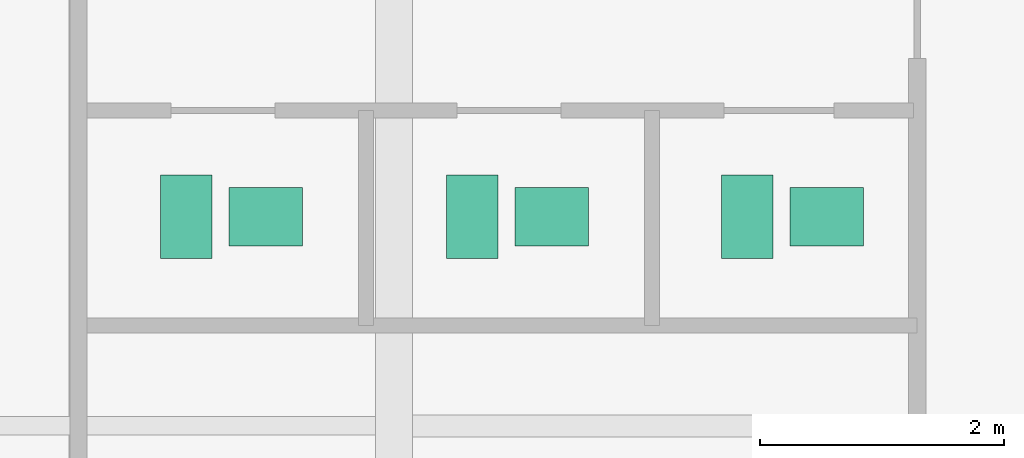
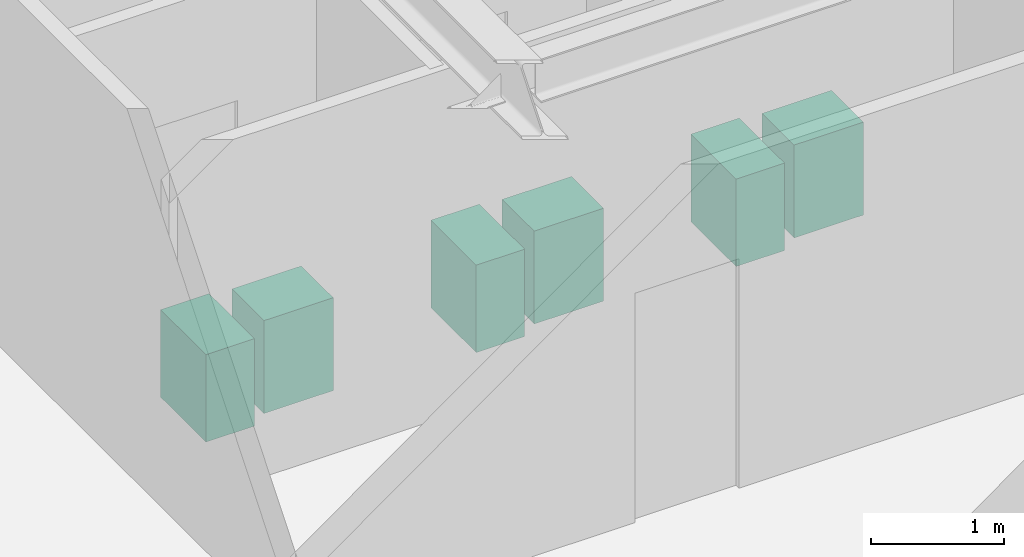
# One storey, part 26 of 26: 6 sanitary terminals.
"""IFC4 building model written with IfcOpenShell, lengths in metres."""

from ifc_helpers import new_model, si_unit, direction, frame, origin, origin_2d, place, context, subcontext, project, spatial, rectangle, extrude, source, transform, mapped, material, type_object, type_shapes, element, save


model = new_model("IFC4")

# Units and contexts
model_context = context("Model", 3, precision=1e-05, world=origin(), true_north=direction((0.0, 1.0)))
body_context = subcontext(model_context, "Body", "Model", "MODEL_VIEW")
ifc_project = project(units=[si_unit("LENGTHUNIT", "METRE"), si_unit("AREAUNIT", "SQUARE_METRE"), si_unit("VOLUMEUNIT", "CUBIC_METRE"), si_unit("PLANEANGLEUNIT", "RADIAN"), si_unit("MASSUNIT", "GRAM", prefix="KILO")], contexts=[model_context])

# Site, building, storey
site_placement = place(None, origin())
site = spatial("IfcSite", under=ifc_project, at=site_placement, CompositionType="ELEMENT")
building_placement = place(site_placement, origin())
building = spatial("IfcBuilding", under=site, at=building_placement, Name="Krantzveldt Concourse Tower", CompositionType="ELEMENT")
storey_placement = place(building_placement, frame((0.0, 0.0, 207.300048828125)))
storey = spatial("IfcBuildingStorey", under=building, at=storey_placement, Name="L50", CompositionType="ELEMENT", Elevation=207.300048828125)

# Sanitary terminals
ifc_material = material(Name="Vitreous china", Category="ceramic")
sanitary_terminal_type_1 = type_object("IfcSanitaryTerminalType", Name="SAN-WC-SUITE", PredefinedType="TOILETPAN", material=ifc_material)
shared_shape_1 = source(origin(), body_context, "Body", "SweptSolid", [
    extrude(rectangle(XDim=0.419921875, YDim=0.679931640625, at=origin_2d()), origin(), (0.0, 0.0, 1.0), 0.800048828125),
])
type_shapes(sanitary_terminal_type_1, [shared_shape_1])
for number, where, z_axis, x_axis, name in (
    (1, (28.89990234375, 31.909912109375, 0.0), (0.0, 0.0, 1.0), (1.0, 0.0, 0.0), "WC-SP-L50-WCM"),
    (2, (31.239990234375, 31.909912109375, 0.0), (0.0, 0.0, 1.0), (1.0, 0.0, 0.0), "WC-SP-L50-WCF"),
    (3, (33.489990234375, 31.909912109375, 0.0), (0.0, 0.0, 1.0), (1.0, 0.0, 0.0), "WC-SP-L50-WCA"),
):
    element("IfcSanitaryTerminal", number, at=place(storey_placement, frame(where, z_axis=z_axis, x_axis=x_axis)), inside=storey, type_object=sanitary_terminal_type_1, Name=name, PredefinedType="TOILETPAN", context=body_context, shape_type="MappedRepresentation", body=[
        mapped(shared_shape_1, transform((0.0, 0.0, 0.0), x_axis=(1.0, 0.0, 0.0), y_axis=(0.0, 1.0, 0.0), z_axis=(0.0, 0.0, 1.0), scale=1.0)),
    ])
sanitary_terminal_type_2 = type_object("IfcSanitaryTerminalType", Name="SAN-BASIN-600", PredefinedType="WASHHANDBASIN", material=ifc_material)
shared_shape_2 = source(origin(), body_context, "Body", "SweptSolid", [
    extrude(rectangle(XDim=0.60009765625, YDim=0.47998046875, at=origin_2d()), origin(), (0.0, 0.0, 1.0), 0.85009765625),
])
type_shapes(sanitary_terminal_type_2, [shared_shape_2])
for number, where, z_axis, x_axis, name in (
    (4, (29.550048828125, 31.909912109375, 0.0048828125), (0.0, 0.0, 1.0), (1.0, 0.0, 0.0), "BSN-SP-L50-WCM"),
    (5, (31.889892578125, 31.909912109375, 0.0048828125), (0.0, 0.0, 1.0), (1.0, 0.0, 0.0), "BSN-SP-L50-WCF"),
    (6, (34.139892578125, 31.909912109375, 0.0048828125), (0.0, 0.0, 1.0), (1.0, 0.0, 0.0), "BSN-SP-L50-WCA"),
):
    element("IfcSanitaryTerminal", number, at=place(storey_placement, frame(where, z_axis=z_axis, x_axis=x_axis)), inside=storey, type_object=sanitary_terminal_type_2, Name=name, PredefinedType="WASHHANDBASIN", context=body_context, shape_type="MappedRepresentation", body=[
        mapped(shared_shape_2, transform((0.0, 0.0, 0.0), x_axis=(1.0, 0.0, 0.0), y_axis=(0.0, 1.0, 0.0), z_axis=(0.0, 0.0, 1.0), scale=1.0)),
    ])

save(model, "model.ifc")
